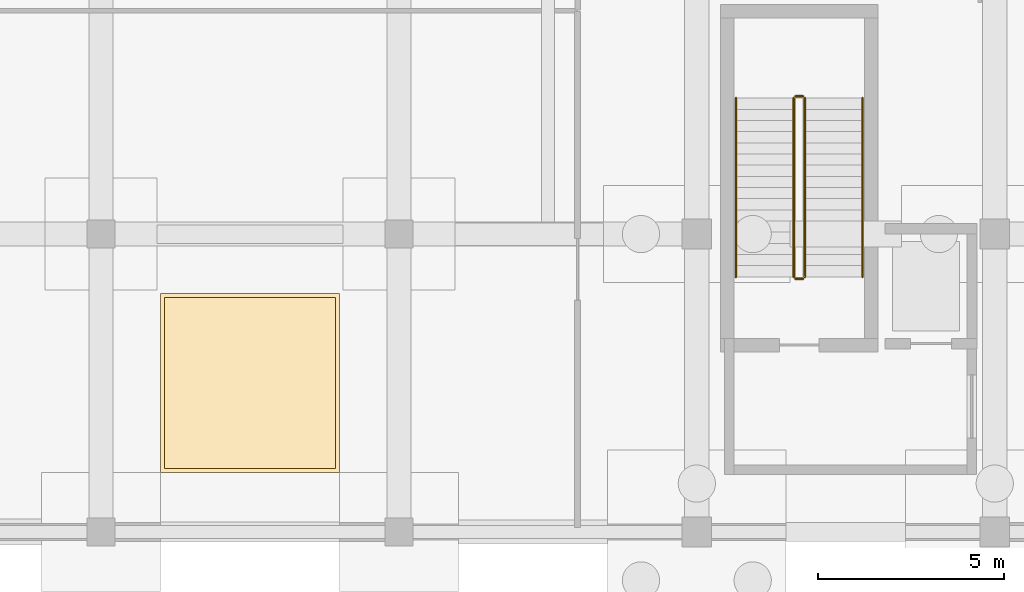
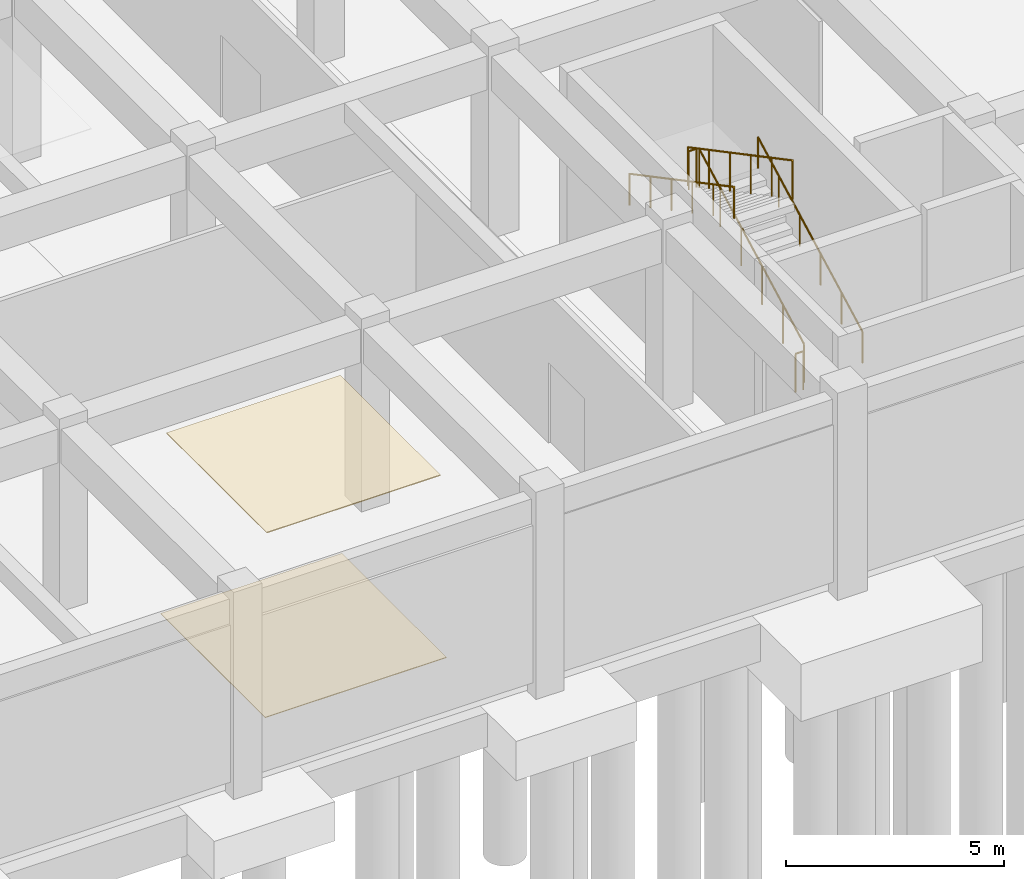
# One storey, part 33 of 45: 6 railings, 2 coverings.
"""IFC4 building model written with IfcOpenShell, lengths in metres."""

from ifc_helpers import new_model, si_unit, direction, frame, origin, origin_2d, place, context, subcontext, project, spatial, rectangle, circle, extrude, material, layer, layer_set, type_object, element, save


model = new_model("IFC4")

# Units and contexts
model_context = context("Model", 3, precision=1e-05, world=origin(), true_north=direction((0.0, 1.0)))
body_context = subcontext(model_context, "Body", "Model", "MODEL_VIEW")
ifc_project = project(units=[si_unit("LENGTHUNIT", "METRE"), si_unit("AREAUNIT", "SQUARE_METRE"), si_unit("VOLUMEUNIT", "CUBIC_METRE"), si_unit("PLANEANGLEUNIT", "RADIAN"), si_unit("MASSUNIT", "GRAM", prefix="KILO")], contexts=[model_context])

# Site, building, storey
site_placement = place(None, origin())
site = spatial("IfcSite", under=ifc_project, at=site_placement, CompositionType="ELEMENT")
building_placement = place(site_placement, origin())
building = spatial("IfcBuilding", under=site, at=building_placement, Name="Kenh Van Central Station", CompositionType="ELEMENT")
storey_placement = place(building_placement, frame((0.0, 0.0, -5.39990234375)))
storey = spatial("IfcBuildingStorey", under=building, at=storey_placement, Name="B1", CompositionType="ELEMENT", Elevation=-5.39990234375)

# Coverings
ifc_material_1 = material(Name="Perforated acoustic mineral ceiling board")
ifc_layer_1 = layer(ifc_material_1, 0.02490234375, Name="Perforated acoustic mineral ceiling board")
ifc_layer_set_1 = layer_set([ifc_layer_1], Name="Perforated acoustic mineral ceiling board")
covering_type_1 = type_object("IfcCoveringType", Name="COV-CEIL-ACOUST", PredefinedType="CEILING", material=ifc_layer_set_1)
covering_1_placement = place(storey_placement, frame((12.0, 12.0, 5.076904296875), z_axis=(0.0, 0.0, 1.0), x_axis=(1.0, 0.0, 0.0)))
element("IfcCovering", 1, at=covering_1_placement, inside=storey, type_object=covering_type_1, Name="B1 acoustic ceiling panel 003", PredefinedType="CEILING", context=body_context, shape_type="SweptSolid", body=[
    extrude(rectangle(XDim=4.60009765625, YDim=4.60009765625, at=origin_2d()), origin(), (0.0, 0.0, 1.0), 0.02490234375),
])
ifc_material_2 = material(Name="Polished station granite terrazzo", Category="masonry")
ifc_layer_2 = layer(ifc_material_2, 0.02001953125, Name="Polished station granite terrazzo")
ifc_layer_set_2 = layer_set([ifc_layer_2], Name="Polished station granite terrazzo")
covering_type_2 = type_object("IfcCoveringType", Name="COV-FLR-GRANITE", PredefinedType="FLOORING", material=ifc_layer_set_2)
covering_2_placement = place(storey_placement, frame((12.0, 12.0, 0.0), z_axis=(0.0, 0.0, 1.0), x_axis=(1.0, 0.0, 0.0)))
element("IfcCovering", 2, at=covering_2_placement, inside=storey, type_object=covering_type_2, Name="B1 granite floor finish 003", PredefinedType="FLOORING", context=body_context, shape_type="SweptSolid", body=[
    extrude(rectangle(XDim=4.800048828125, YDim=4.800048828125, at=origin_2d()), origin(), (0.0, 0.0, 1.0), 0.02001953125),
])

# Railings
ifc_material_3 = material(Name="Champagne anodised aluminium", Category="aluminium")
railing_type_1 = type_object("IfcRailingType", Name="RAIL-CORE-GRD110", PredefinedType="GUARDRAIL", material=ifc_material_3)
railing_1_placement = place(storey_placement, frame((26.89990234375, 14.85009765625, 0.15869140625)))
element("IfcRailing", 3, at=railing_1_placement, inside=storey, type_object=railing_type_1, Name="B1 ST-01 stair guard 1", PredefinedType="GUARDRAIL", context=body_context, shape_type="SweptSolid", body=[
    extrude(circle(Radius=0.02392578125, at=origin_2d()), frame((0.0, 0.0, 1.076171875), z_axis=(0.0, 0.883773701108, 0.467914570439), x_axis=(-1.0, 0.0, 0.0)), (0.0, 0.0, 1.0), 5.43115234375),
    extrude(circle(Radius=0.02099609375, at=origin_2d()), origin(), (0.0, 0.0, 1.0), 1.052001953125),
    extrude(circle(Radius=0.02099609375, at=origin_2d()), frame((0.0, 0.9599609375, 0.50830078125)), (0.0, 0.0, 1.0), 1.052001953125),
    extrude(circle(Radius=0.02099609375, at=origin_2d()), frame((0.0, 1.919921875, 1.0166015625)), (0.0, 0.0, 1.0), 1.052001953125),
    extrude(circle(Radius=0.02099609375, at=origin_2d()), frame((0.0, 2.8798828125, 1.524658203125)), (0.0, 0.0, 1.0), 1.052001953125),
    extrude(circle(Radius=0.02099609375, at=origin_2d()), frame((0.0, 3.83984375, 2.032958984375)), (0.0, 0.0, 1.0), 1.052001953125),
    extrude(circle(Radius=0.02099609375, at=origin_2d()), frame((0.0, 4.7998046875, 2.541259765625)), (0.0, 0.0, 1.0), 1.052001953125),
])
railing_2_placement = place(storey_placement, frame((26.85009765625, 19.699951171875, 2.699951171875)))
element("IfcRailing", 4, at=railing_2_placement, inside=storey, type_object=railing_type_1, Name="B1 ST-01 stair guard 2", PredefinedType="GUARDRAIL", context=body_context, shape_type="SweptSolid", body=[
    extrude(circle(Radius=0.02392578125, at=origin_2d()), frame((0.0, 0.0, 1.076171875), z_axis=(-1.0, 0.0, 0.0), x_axis=(0.0, -1.0, 0.0)), (0.0, 0.0, 1.0), 0.2001953125),
    extrude(circle(Radius=0.02099609375, at=origin_2d()), origin(), (0.0, 0.0, 1.0), 1.052001953125),
    extrude(circle(Radius=0.02099609375, at=origin_2d()), frame((-0.2001953125, 0.0, 0.0)), (0.0, 0.0, 1.0), 1.052001953125),
])
railing_3_placement = place(storey_placement, frame((26.60009765625, 19.64990234375, 2.858642578125)))
element("IfcRailing", 5, at=railing_3_placement, inside=storey, type_object=railing_type_1, Name="B1 ST-01 stair guard 3", PredefinedType="GUARDRAIL", context=body_context, shape_type="SweptSolid", body=[
    extrude(circle(Radius=0.02392578125, at=origin_2d()), frame((0.0, 0.0, 1.076171875), z_axis=(0.0, -0.883773701108, 0.467914570439), x_axis=(1.0, 0.0, 0.0)), (0.0, 0.0, 1.0), 5.43115234375),
    extrude(circle(Radius=0.02099609375, at=origin_2d()), origin(), (0.0, 0.0, 1.0), 1.052001953125),
    extrude(circle(Radius=0.02099609375, at=origin_2d()), frame((0.0, -0.9599609375, 0.50830078125)), (0.0, 0.0, 1.0), 1.052001953125),
    extrude(circle(Radius=0.02099609375, at=origin_2d()), frame((0.0, -1.919921875, 1.0166015625)), (0.0, 0.0, 1.0), 1.052001953125),
    extrude(circle(Radius=0.02099609375, at=origin_2d()), frame((0.0, -2.8798828125, 1.524658203125)), (0.0, 0.0, 1.0), 1.052001953125),
    extrude(circle(Radius=0.02099609375, at=origin_2d()), frame((0.0, -3.83984375, 2.032958984375)), (0.0, 0.0, 1.0), 1.052001953125),
    extrude(circle(Radius=0.02099609375, at=origin_2d()), frame((0.0, -4.7998046875, 2.541259765625)), (0.0, 0.0, 1.0), 1.052001953125),
])
railing_4_placement = place(storey_placement, frame((26.85009765625, 14.800048828125, 0.0)))
element("IfcRailing", 6, at=railing_4_placement, inside=storey, type_object=railing_type_1, Name="B1 ST-01 stair guard 4", PredefinedType="GUARDRAIL", context=body_context, shape_type="SweptSolid", body=[
    extrude(circle(Radius=0.02392578125, at=origin_2d()), frame((0.0, 0.0, 1.076171875), z_axis=(-1.0, 0.0, 0.0), x_axis=(0.0, -1.0, 0.0)), (0.0, 0.0, 1.0), 0.2001953125),
    extrude(circle(Radius=0.02099609375, at=origin_2d()), origin(), (0.0, 0.0, 1.0), 1.052001953125),
    extrude(circle(Radius=0.02099609375, at=origin_2d()), frame((-0.2001953125, 0.0, 0.0)), (0.0, 0.0, 1.0), 1.052001953125),
])
railing_type_2 = type_object("IfcRailingType", Name="RAIL-CORE-HND90", PredefinedType="HANDRAIL", material=ifc_material_3)
railing_5_placement = place(storey_placement, frame((28.449951171875, 14.85009765625, 0.15869140625)))
element("IfcRailing", 7, at=railing_5_placement, inside=storey, type_object=railing_type_2, Name="B1 ST-01 stair handrail 1", PredefinedType="HANDRAIL", context=body_context, shape_type="SweptSolid", body=[
    extrude(circle(Radius=0.02392578125, at=origin_2d()), frame((0.0, 0.0, 0.8759765625), z_axis=(0.0, 0.883773701108, 0.467914570439), x_axis=(-1.0, 0.0, 0.0)), (0.0, 0.0, 1.0), 5.43115234375),
    extrude(circle(Radius=0.02099609375, at=origin_2d()), origin(), (0.0, 0.0, 1.0), 0.851806640625),
    extrude(circle(Radius=0.02099609375, at=origin_2d()), frame((0.0, 0.9599609375, 0.50830078125)), (0.0, 0.0, 1.0), 0.851806640625),
    extrude(circle(Radius=0.02099609375, at=origin_2d()), frame((0.0, 1.919921875, 1.0166015625)), (0.0, 0.0, 1.0), 0.851806640625),
    extrude(circle(Radius=0.02099609375, at=origin_2d()), frame((0.0, 2.8798828125, 1.524658203125)), (0.0, 0.0, 1.0), 0.851806640625),
    extrude(circle(Radius=0.02099609375, at=origin_2d()), frame((0.0, 3.83984375, 2.032958984375)), (0.0, 0.0, 1.0), 0.851806640625),
    extrude(circle(Radius=0.02099609375, at=origin_2d()), frame((0.0, 4.7998046875, 2.541259765625)), (0.0, 0.0, 1.0), 0.851806640625),
])
railing_6_placement = place(storey_placement, frame((25.050048828125, 19.64990234375, 2.858642578125)))
element("IfcRailing", 8, at=railing_6_placement, inside=storey, type_object=railing_type_2, Name="B1 ST-01 stair handrail 2", PredefinedType="HANDRAIL", context=body_context, shape_type="SweptSolid", body=[
    extrude(circle(Radius=0.02392578125, at=origin_2d()), frame((0.0, 0.0, 0.8759765625), z_axis=(0.0, -0.883773701108, 0.467914570439), x_axis=(1.0, 0.0, 0.0)), (0.0, 0.0, 1.0), 5.43115234375),
    extrude(circle(Radius=0.02099609375, at=origin_2d()), origin(), (0.0, 0.0, 1.0), 0.851806640625),
    extrude(circle(Radius=0.02099609375, at=origin_2d()), frame((0.0, -0.9599609375, 0.50830078125)), (0.0, 0.0, 1.0), 0.851806640625),
    extrude(circle(Radius=0.02099609375, at=origin_2d()), frame((0.0, -1.919921875, 1.0166015625)), (0.0, 0.0, 1.0), 0.851806640625),
    extrude(circle(Radius=0.02099609375, at=origin_2d()), frame((0.0, -2.8798828125, 1.524658203125)), (0.0, 0.0, 1.0), 0.851806640625),
    extrude(circle(Radius=0.02099609375, at=origin_2d()), frame((0.0, -3.83984375, 2.032958984375)), (0.0, 0.0, 1.0), 0.851806640625),
    extrude(circle(Radius=0.02099609375, at=origin_2d()), frame((0.0, -4.7998046875, 2.541259765625)), (0.0, 0.0, 1.0), 0.851806640625),
])

save(model, "model.ifc")
